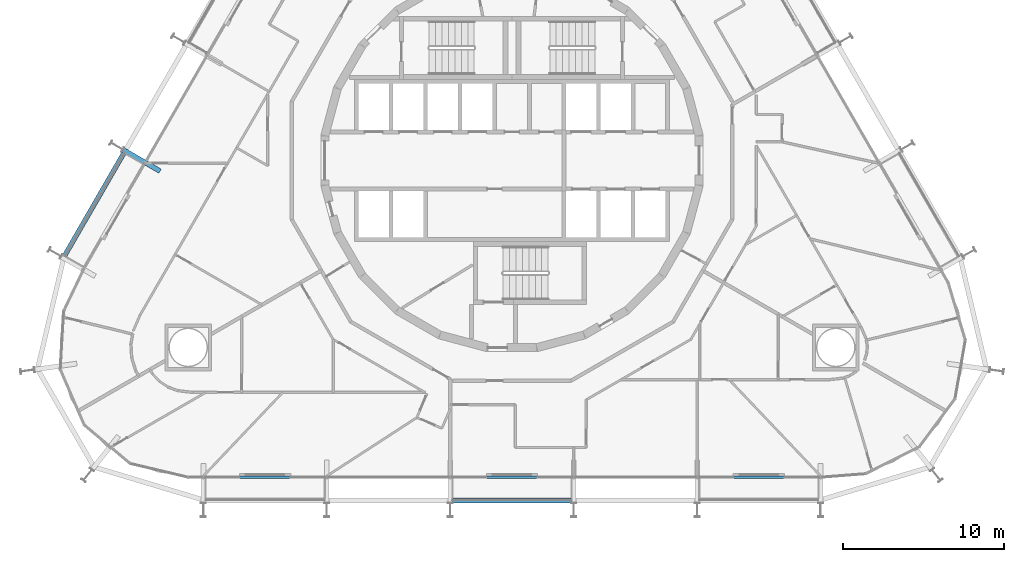
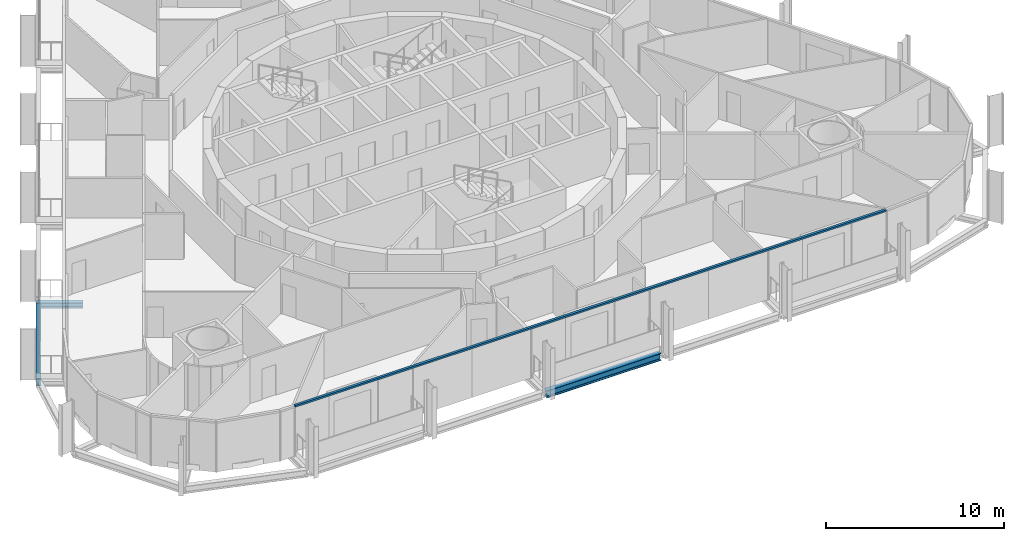
# One storey, part 4 of 21: 3 beams, 1 member, 1 element without a shape of its own.
"""IFC4 building model written with IfcOpenShell, lengths in metres."""

from ifc_helpers import new_model, si_unit, direction, frame, origin, origin_2d, place, context, subcontext, project, spatial, rectangle, i_section, extrude, material, layer, layer_set, material_profile, profile_set, type_object, element, aggregate, save


model = new_model("IFC4")

# Units and contexts
model_context = context("Model", 3, precision=1e-05, world=origin(), true_north=direction((0.0, 1.0)))
body_context = subcontext(model_context, "Body", "Model", "MODEL_VIEW")
ifc_project = project(units=[si_unit("LENGTHUNIT", "METRE"), si_unit("AREAUNIT", "SQUARE_METRE"), si_unit("VOLUMEUNIT", "CUBIC_METRE"), si_unit("PLANEANGLEUNIT", "RADIAN"), si_unit("MASSUNIT", "GRAM", prefix="KILO")], contexts=[model_context])

# Site, building, storey
site_placement = place(None, origin())
site = spatial("IfcSite", under=ifc_project, at=site_placement, CompositionType="ELEMENT")
building_placement = place(site_placement, origin())
building = spatial("IfcBuilding", under=site, at=building_placement, Name="Spindle Arch Residences", CompositionType="ELEMENT")
storey_placement = place(building_placement, frame((0.0, 0.0, 48.89990234375)))
storey = spatial("IfcBuildingStorey", under=building, at=storey_placement, Name="L10", CompositionType="ELEMENT", Elevation=48.89990234375)

# Curtain wall, member
ifc_material_1 = material(Name="Aluminium bronze unitised frame with tinted glass", Category="aluminium")
ifc_layer = layer(ifc_material_1, 0.159912109375)
ifc_layer_set = layer_set([ifc_layer], Name="CW-C typical residential unitised wall")
curtain_wall_type = type_object("IfcCurtainWallType", Name="CW-C typical residential unitised wall", PredefinedType="NOTDEFINED", material=ifc_layer_set)
curtain_wall_placement = place(storey_placement, origin())
curtain_wall = element("IfcCurtainWall", 1, at=curtain_wall_placement, inside=storey, type_object=curtain_wall_type, Name="CW-C L10 run 6", PredefinedType="NOTDEFINED")
ifc_material_2 = material(Name="Aluminium bronze anodised transom", Category="aluminium")
ifc_material_profile_1 = material_profile(ifc_material_2, rectangle(XDim=0.159912109375, YDim=0.1201171875, at=origin_2d()), Name="TR 120x160")
ifc_profile_set_1 = profile_set([ifc_material_profile_1], Name="Aluminium bronze anodised transom")
member_type = type_object("IfcMemberType", Name="Bronze transom 120x160", PredefinedType="USERDEFINED", material=ifc_profile_set_1)
member_placement = place(storey_placement, frame((-19.170166015625, -19.7099609375, 3.06005859375), z_axis=(1.0, 0.0, 0.0), x_axis=(0.0, 1.0, 0.0)))
member = element("IfcMember", 2, at=member_placement, type_object=member_type, Name="CW-C transom 00", ObjectType="TRANSOM", PredefinedType="USERDEFINED", context=body_context, shape_type="SweptSolid", body=[
    extrude(rectangle(XDim=0.159912109375, YDim=0.1201171875, at=origin_2d()), origin(), (0.0, 0.0, 1.0), 38.34033203125),
])
aggregate(curtain_wall, [member])

# Beams
ifc_material_3 = material(Name="Steel S460ML, intumescent coating R 120", Category="steel")
ifc_material_profile_2 = material_profile(ifc_material_3, i_section(OverallWidth=0.300048828125, OverallDepth=0.5, WebThickness=0.014404296875, FlangeThickness=0.028076171875, FilletRadius=0.027099609375, at=origin_2d()), Name="HEB 500")
ifc_profile_set_2 = profile_set([ifc_material_profile_2], Name="Steel S460ML, intumescent coating R 120")
beam_type_1 = type_object("IfcBeamType", Name="Exoskeleton edge beam HEB 500", PredefinedType="BEAM", material=ifc_profile_set_2)
beam_1_placement = place(storey_placement, frame((-24.13525390625, 0.482177734375, -0.6298828125), z_axis=(-0.49998923004, -0.866031621735, 0.0), x_axis=(0.866031621735, -0.49998923004, 0.0)))
element("IfcBeam", 3, at=beam_1_placement, inside=storey, type_object=beam_type_1, Name="Exoskeleton edge beam 18", PredefinedType="BEAM", context=body_context, shape_type="SweptSolid", body=[
    extrude(i_section(OverallWidth=0.300048828125, OverallDepth=0.5, WebThickness=0.014404296875, FlangeThickness=0.028076171875, FilletRadius=0.027099609375, at=origin_2d()), origin(), (0.0, 0.0, 1.0), 7.420166015625),
])
beam_2_placement = place(storey_placement, frame((-3.7099609375, -21.142822265625, -0.6298828125), z_axis=(1.0, 0.0, 0.0), x_axis=(0.0, 1.0, 0.0)))
element("IfcBeam", 4, at=beam_2_placement, inside=storey, type_object=beam_type_1, Name="Exoskeleton edge beam 24", PredefinedType="BEAM", context=body_context, shape_type="SweptSolid", body=[
    extrude(i_section(OverallWidth=0.300048828125, OverallDepth=0.5, WebThickness=0.014404296875, FlangeThickness=0.028076171875, FilletRadius=0.027099609375, at=origin_2d()), origin(), (0.0, 0.0, 1.0), 7.419921875),
])
ifc_material_4 = material(Name="Steel S460ML, intumescent coating R 120", Category="steel")
ifc_material_profile_3 = material_profile(ifc_material_4, i_section(OverallWidth=0.300048828125, OverallDepth=0.389892578125, WebThickness=0.010986328125, FlangeThickness=0.01904296875, FilletRadius=0.027099609375, at=origin_2d()), Name="HEA 400")
ifc_profile_set_3 = profile_set([ifc_material_profile_3], Name="Steel S460ML, intumescent coating R 120")
beam_type_2 = type_object("IfcBeamType", Name="Floor outrigger HEA 400", PredefinedType="BEAM", material=ifc_profile_set_3)
beam_3_placement = place(storey_placement, frame((-24.18896484375, 0.6630859375, -0.574951171875), z_axis=(0.866029095148, -0.499993606316, 0.0), x_axis=(0.499993606316, 0.866029095148, 0.0)))
element("IfcBeam", 5, at=beam_3_placement, inside=storey, type_object=beam_type_2, Name="Floor outrigger 18", PredefinedType="BEAM", context=body_context, shape_type="SweptSolid", body=[
    extrude(i_section(OverallWidth=0.300048828125, OverallDepth=0.389892578125, WebThickness=0.010986328125, FlangeThickness=0.01904296875, FilletRadius=0.027099609375, at=origin_2d()), origin(), (0.0, 0.0, 1.0), 2.64990234375),
])

save(model, "model.ifc")
